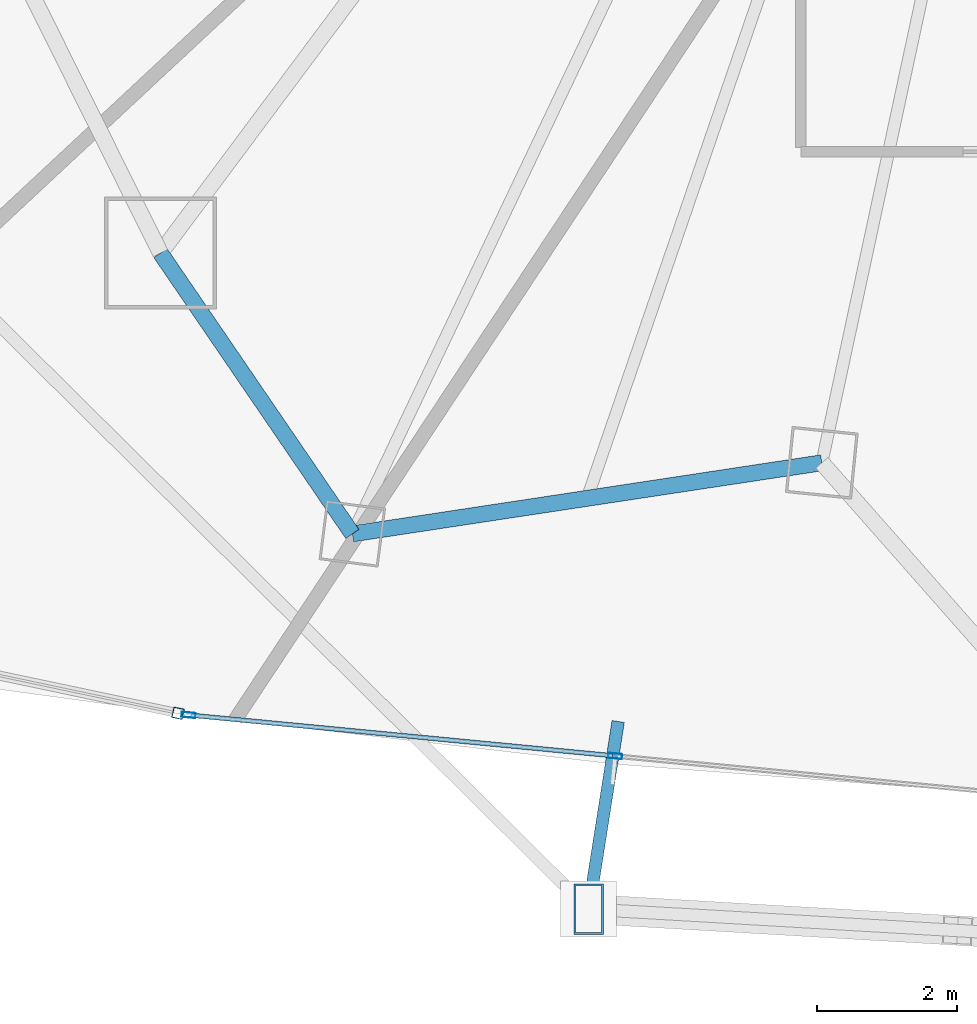
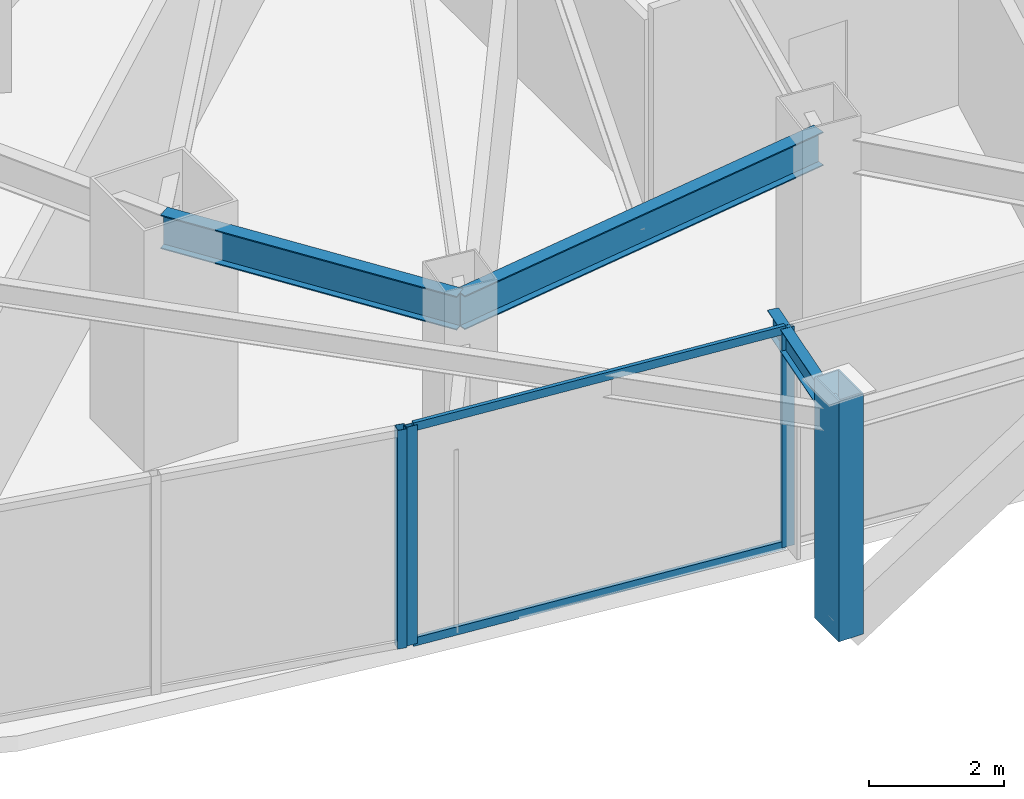
# One storey, part 4 of 33: 6 members, 3 beams, 2 elements without a shape of their own.
"""IFC4 building model written with IfcOpenShell, lengths in metres."""

from ifc_helpers import new_model, si_unit, direction, frame, origin, origin_2d, place, context, subcontext, project, spatial, hollow_rectangle, i_section, extrude, material, layer, layer_set, material_profile, profile_set, type_object, element, aggregate, save


model = new_model("IFC4")

# Units and contexts
model_context = context("Model", 3, precision=1e-05, world=origin(), true_north=direction((0.0, 1.0)))
body_context = subcontext(model_context, "Body", "Model", "MODEL_VIEW")
ifc_project = project(units=[si_unit("LENGTHUNIT", "METRE"), si_unit("AREAUNIT", "SQUARE_METRE"), si_unit("VOLUMEUNIT", "CUBIC_METRE"), si_unit("PLANEANGLEUNIT", "RADIAN"), si_unit("MASSUNIT", "GRAM", prefix="KILO")], contexts=[model_context])

# Site, building, storey
site_placement = place(None, origin())
site = spatial("IfcSite", under=ifc_project, at=site_placement, CompositionType="ELEMENT")
building_placement = place(site_placement, origin())
building = spatial("IfcBuilding", under=site, at=building_placement, Name="Orvanel Arch Residences", CompositionType="ELEMENT")
storey_placement = place(building_placement, frame((0.0, 0.0, 97.25)))
storey = spatial("IfcBuildingStorey", under=building, at=storey_placement, Name="L27", CompositionType="ELEMENT", Elevation=97.25)

# Member
ifc_material_1 = material(Name="Structural steel AS/NZS 3678 Grade 350", Category="steel")
ifc_material_profile_1 = material_profile(ifc_material_1, hollow_rectangle(XDim=0.419921875, YDim=0.719970703125, WallThickness=0.02490234375, at=origin_2d()), Name="RHS720x420x25")
ifc_profile_set_1 = profile_set([ifc_material_profile_1], Name="Structural steel AS/NZS 3678 Grade 350")
member_type_1 = type_object("IfcMemberType", Name="CH-720RHS-EXT", PredefinedType="CHORD", material=ifc_profile_set_1)
member_1_placement = place(storey_placement, frame((20.31689453125, 0.97802734375, 0.0), z_axis=(0.0, 0.0, 1.0), x_axis=(1.0, 0.0, 0.0)))
element("IfcMember", 1, at=member_1_placement, inside=storey, type_object=member_type_1, Name="L27 Outer Perimeter Frame Post 05", PredefinedType="CHORD", context=body_context, shape_type="SweptSolid", body=[
    extrude(hollow_rectangle(XDim=0.419921875, YDim=0.719970703125, WallThickness=0.02490234375, at=origin_2d()), origin(), (0.0, 0.0, 1.0), 4.35009765625),
])

# Curtain wall, member
ifc_material_2 = material(Name="Bronze-anodised aluminium AA6063-T6", Category="aluminium")
ifc_layer_1 = layer(ifc_material_2, 0.18994140625)
ifc_layer_set_1 = layer_set([ifc_layer_1], Name="Bronze-anodised aluminium AA6063-T6")
curtain_wall_type_1 = type_object("IfcCurtainWallType", Name="CW5-CRN-SYS", PredefinedType="NOTDEFINED", material=ifc_layer_set_1)
curtain_wall_1_placement = place(storey_placement, origin())
curtain_wall_1 = element("IfcCurtainWall", 2, at=curtain_wall_1_placement, inside=storey, type_object=curtain_wall_type_1, Name="L27 CW5-CRN-SYS Unitised Curtain Wall", PredefinedType="NOTDEFINED")
ifc_material_profile_2 = material_profile(ifc_material_2, hollow_rectangle(XDim=0.14990234375, YDim=0.14990234375, WallThickness=0.0048828125, at=origin_2d()), Name="ALU150x150x5")
ifc_profile_set_2 = profile_set([ifc_material_profile_2], Name="Bronze-anodised aluminium AA6063-T6")
member_type_2 = type_object("IfcMemberType", Name="MUL-150x150", PredefinedType="MULLION", material=ifc_profile_set_2)
member_2_placement = place(storey_placement, frame((14.44970703125, 3.7763671875, 0.0), z_axis=(0.0, 0.0, 1.0), x_axis=(0.206294255805, 0.97848999996, 0.0)))
member_2 = element("IfcMember", 3, at=member_2_placement, type_object=member_type_2, Name="CW-S5 mullion 3", PredefinedType="MULLION", context=body_context, shape_type="SweptSolid", body=[
    extrude(hollow_rectangle(XDim=0.14990234375, YDim=0.14990234375, WallThickness=0.0048828125, at=origin_2d()), origin(), (0.0, 0.0, 1.0), 3.949951171875),
])
aggregate(curtain_wall_1, [member_2])

# Curtain wall, members
ifc_layer_2 = layer(ifc_material_2, 0.195068359375)
ifc_layer_set_2 = layer_set([ifc_layer_2], Name="Bronze-anodised aluminium AA6063-T6")
curtain_wall_type_2 = type_object("IfcCurtainWallType", Name="CW6-COM-SYS", PredefinedType="NOTDEFINED", material=ifc_layer_set_2)
curtain_wall_2_placement = place(storey_placement, origin())
curtain_wall_2 = element("IfcCurtainWall", 4, at=curtain_wall_2_placement, inside=storey, type_object=curtain_wall_type_2, Name="L27 CW6-COM-SYS Unitised Curtain Wall", PredefinedType="NOTDEFINED")
ifc_material_profile_3 = material_profile(ifc_material_2, hollow_rectangle(XDim=0.074951171875, YDim=0.199951171875, WallThickness=0.0048828125, at=origin_2d()), Name="ALU200x75x5")
ifc_profile_set_3 = profile_set([ifc_material_profile_3], Name="Bronze-anodised aluminium AA6063-T6")
member_type_3 = type_object("IfcMemberType", Name="MUL-200x75", PredefinedType="MULLION", material=ifc_profile_set_3)
member_3_placement = place(storey_placement, frame((14.600341796875, 3.75146484375, 0.0), z_axis=(0.0, 0.0, 1.0), x_axis=(0.095605700443, 0.99541928354, 0.0)))
member_3 = element("IfcMember", 5, at=member_3_placement, type_object=member_type_3, Name="CW-S6 mullion 1", PredefinedType="MULLION", context=body_context, shape_type="SweptSolid", body=[
    extrude(hollow_rectangle(XDim=0.074951171875, YDim=0.199951171875, WallThickness=0.0048828125, at=origin_2d()), origin(), (0.0, 0.0, 1.0), 3.949951171875),
])
member_4_placement = place(storey_placement, frame((20.695556640625, 3.166015625, 0.0), z_axis=(0.0, 0.0, 1.0), x_axis=(0.095605700443, 0.99541928354, 0.0)))
member_4 = element("IfcMember", 6, at=member_4_placement, type_object=member_type_3, Name="CW-S6 mullion 2", PredefinedType="MULLION", context=body_context, shape_type="SweptSolid", body=[
    extrude(hollow_rectangle(XDim=0.074951171875, YDim=0.199951171875, WallThickness=0.0048828125, at=origin_2d()), origin(), (0.0, 0.0, 1.0), 3.949951171875),
])

# Beams
ifc_material_3 = material(Name="Structural steel AS/NZS 3679.1 Grade 300 (300 MPa)", Category="steel")
ifc_material_profile_4 = material_profile(ifc_material_3, i_section(OverallWidth=0.177978515625, OverallDepth=0.406005859375, WebThickness=0.0078125, FlangeThickness=0.0126953125, at=origin_2d()), Name="410UB59.7")
ifc_profile_set_4 = profile_set([ifc_material_profile_4], Name="Structural steel AS/NZS 3679.1 Grade 300 (300 MPa)")
beam_type_1 = type_object("IfcBeamType", Name="OB-410UB-EXT", PredefinedType="SPANDREL", material=ifc_profile_set_4)
beam_1_placement = place(storey_placement, frame((20.739013671875, 3.658935546875, 3.7470703125), z_axis=(-0.155537567762, -0.987829977787, 0.0), x_axis=(0.987829977787, -0.155537567762, 0.0)))
element("IfcBeam", 7, at=beam_1_placement, inside=storey, type_object=beam_type_1, Name="L27 Outer Frame Radial Tie Beam 05", PredefinedType="SPANDREL", context=body_context, shape_type="SweptSolid", body=[
    extrude(i_section(OverallWidth=0.177978515625, OverallDepth=0.406005859375, WebThickness=0.0078125, FlangeThickness=0.0126953125, at=origin_2d()), origin(), (0.0, 0.0, 1.0), 2.7138671875),
])
ifc_material_profile_5 = material_profile(ifc_material_3, i_section(OverallWidth=0.22900390625, OverallDepth=0.612060546875, WebThickness=0.011962890625, FlangeThickness=0.01953125, at=origin_2d()), Name="610UB125")
ifc_profile_set_5 = profile_set([ifc_material_profile_5], Name="Structural steel AS/NZS 3679.1 Grade 300 (300 MPa)")
beam_type_2 = type_object("IfcBeamType", Name="SP-610UB", PredefinedType="SPANDREL", material=ifc_profile_set_5)
beam_2_placement = place(storey_placement, frame((14.198974609375, 10.35107421875, 3.64404296875), z_axis=(0.564251579852, -0.825602903722, 0.0), x_axis=(0.825602903722, 0.564251579852, 0.0)))
element("IfcBeam", 8, at=beam_2_placement, inside=storey, type_object=beam_type_2, Name="L27 Perimeter Spandrel Beam 03", PredefinedType="SPANDREL", context=body_context, shape_type="SweptSolid", body=[
    extrude(i_section(OverallWidth=0.22900390625, OverallDepth=0.612060546875, WebThickness=0.011962890625, FlangeThickness=0.01953125, at=origin_2d()), origin(), (0.0, 0.0, 1.0), 4.859375),
])
beam_3_placement = place(storey_placement, frame((16.94091796875, 6.339111328125, 3.64404296875), z_axis=(0.988726323014, 0.149733958002, 0.0), x_axis=(-0.149733958002, 0.988726323014, 0.0)))
element("IfcBeam", 9, at=beam_3_placement, inside=storey, type_object=beam_type_2, Name="L27 Perimeter Spandrel Beam 04", PredefinedType="SPANDREL", context=body_context, shape_type="SweptSolid", body=[
    extrude(i_section(OverallWidth=0.22900390625, OverallDepth=0.612060546875, WebThickness=0.011962890625, FlangeThickness=0.01953125, at=origin_2d()), origin(), (0.0, 0.0, 1.0), 6.784423828125),
])

# Member
ifc_material_profile_6 = material_profile(ifc_material_2, hollow_rectangle(XDim=0.06494140625, YDim=0.14990234375, WallThickness=0.00390625, at=origin_2d()), Name="ALU150x65x4")
ifc_profile_set_6 = profile_set([ifc_material_profile_6], Name="Bronze-anodised aluminium AA6063-T6")
member_type_4 = type_object("IfcMemberType", Name="TRN-150x65", PredefinedType="USERDEFINED", material=ifc_profile_set_6)
member_5_placement = place(storey_placement, frame((14.6376953125, 3.747802734375, 0.032470703125), z_axis=(0.995421150083, -0.095586264534, 0.0), x_axis=(0.095586264534, 0.995421150083, 0.0)))
member_5 = element("IfcMember", 10, at=member_5_placement, type_object=member_type_4, Name="CW-S6 transom 1.1", ObjectType="TRANSOM", PredefinedType="USERDEFINED", context=body_context, shape_type="SweptSolid", body=[
    extrude(hollow_rectangle(XDim=0.06494140625, YDim=0.14990234375, WallThickness=0.00390625, at=origin_2d()), origin(), (0.0, 0.0, 1.0), 6.048095703125),
])

member_6_placement = place(storey_placement, frame((14.6376953125, 3.747802734375, 3.91748046875), z_axis=(0.995421150083, -0.095586264534, 0.0), x_axis=(0.095586264534, 0.995421150083, 0.0)))
member_6 = element("IfcMember", 11, at=member_6_placement, type_object=member_type_4, Name="CW-S6 transom 1.2", ObjectType="TRANSOM", PredefinedType="USERDEFINED", context=body_context, shape_type="SweptSolid", body=[
    extrude(hollow_rectangle(XDim=0.06494140625, YDim=0.14990234375, WallThickness=0.00390625, at=origin_2d()), origin(), (0.0, 0.0, 1.0), 6.048095703125),
])

aggregate(curtain_wall_2, [member_3, member_4, member_5, member_6])

save(model, "model.ifc")
